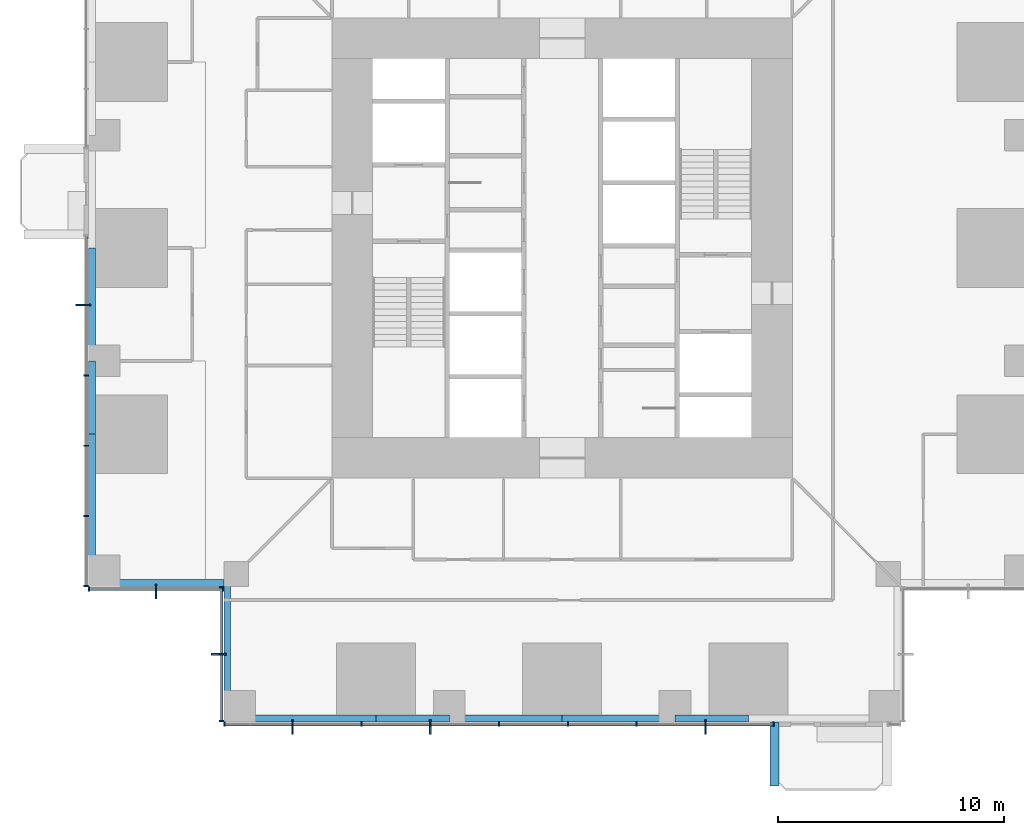
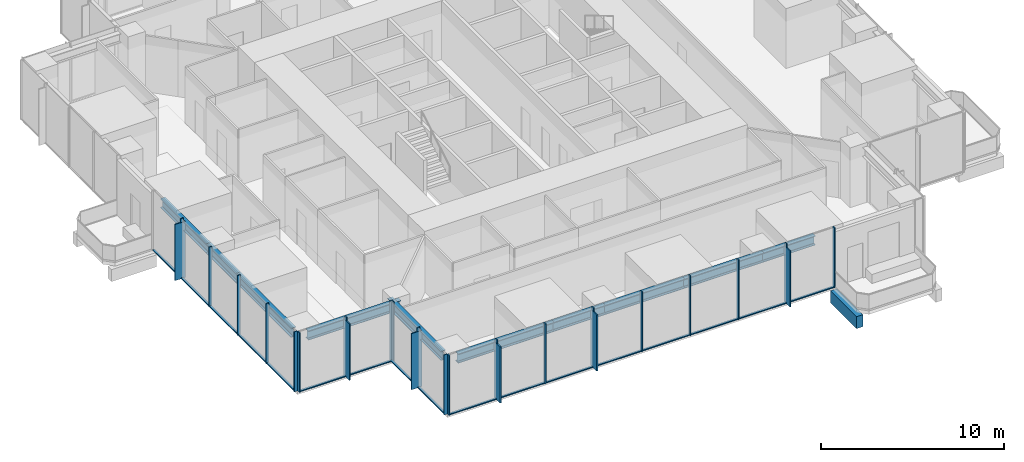
# One storey, part 2 of 15: 43 members, 11 beams, 4 elements without a shape of their own.
"""IFC4 building model written with IfcOpenShell, lengths in metres."""

from ifc_helpers import new_model, si_unit, direction, frame, origin, origin_2d, place, context, subcontext, project, spatial, rectangle, i_section, extrude, material, material_profile, profile_set, type_object, element, aggregate, save


model = new_model("IFC4")

# Units and contexts
model_context = context("Model", 3, precision=1e-05, world=origin(), true_north=direction((0.0, 1.0)))
body_context = subcontext(model_context, "Body", "Model", "MODEL_VIEW")
ifc_project = project(units=[si_unit("LENGTHUNIT", "METRE"), si_unit("AREAUNIT", "SQUARE_METRE"), si_unit("VOLUMEUNIT", "CUBIC_METRE"), si_unit("PLANEANGLEUNIT", "RADIAN"), si_unit("MASSUNIT", "GRAM", prefix="KILO")], contexts=[model_context])

# Site, building, storey
site_placement = place(None, origin())
site = spatial("IfcSite", under=ifc_project, at=site_placement, CompositionType="ELEMENT")
building_placement = place(site_placement, origin())
building = spatial("IfcBuilding", under=site, at=building_placement, Name="Svetlomir Tower", CompositionType="ELEMENT")
storey_placement = place(building_placement, frame((0.0, 0.0, 34.5)))
storey = spatial("IfcBuildingStorey", under=building, at=storey_placement, Name="L07", CompositionType="ELEMENT", Elevation=34.5)

# Beam
ifc_material_1 = material(Name="Concrete C60/75", Category="concrete")
ifc_material_profile_1 = material_profile(ifc_material_1, rectangle(XDim=0.39990234375, YDim=0.800048828125, at=origin_2d()), Name="RC 400x800")
ifc_profile_set_1 = profile_set([ifc_material_profile_1], Name="Concrete C60/75")
beam_type_1 = type_object("IfcBeamType", Name="BALCONY RIB RC 400x800", PredefinedType="BEAM", material=ifc_profile_set_1)
beam_1_placement = place(storey_placement, frame((30.39990234375, 0.0, -0.64990234375), z_axis=(0.0, -1.0, 0.0), x_axis=(1.0, 0.0, 0.0)))
element("IfcBeam", 1, at=beam_1_placement, inside=storey, type_object=beam_type_1, Name="Balcony rib S 1 L07", PredefinedType="BEAM", context=body_context, shape_type="SweptSolid", body=[
    extrude(rectangle(XDim=0.39990234375, YDim=0.800048828125, at=origin_2d()), origin(), (0.0, 0.0, 1.0), 2.85009765625),
])

# Curtain wall, members
ifc_material_2 = material(Name="Bronze anodised aluminium curtain wall", Category="aluminium")
curtain_wall_type = type_object("IfcCurtainWallType", Name="CURTAIN WALL CW1 TOWER OFFICE", PredefinedType="NOTDEFINED", material=ifc_material_2)
curtain_wall_1_placement = place(storey_placement, origin())
curtain_wall_1 = element("IfcCurtainWall", 2, at=curtain_wall_1_placement, inside=storey, type_object=curtain_wall_type, Name="Curtain wall CW1 L07", PredefinedType="NOTDEFINED")
ifc_material_3 = material(Name="Bronze anodised aluminium", Category="aluminium")
ifc_material_profile_2 = material_profile(ifc_material_3, rectangle(XDim=0.080078125, YDim=0.64990234375, at=origin_2d()), Name="FIN 80x650")
ifc_profile_set_2 = profile_set([ifc_material_profile_2], Name="Bronze anodised aluminium 6063-T6")
member_type_1 = type_object("IfcMemberType", Name="BRONZE FIN 80x650", PredefinedType="USERDEFINED", material=ifc_profile_set_2)
member_1_placement = place(storey_placement, frame((9.050048828125, -0.22509765625, 0.0), z_axis=(0.0, 0.0, 1.0), x_axis=(1.0, 0.0, 0.0)))
member_1 = element("IfcMember", 3, at=member_1_placement, type_object=member_type_1, Name="Bronze fin L07", ObjectType="FIN", PredefinedType="USERDEFINED", context=body_context, shape_type="SweptSolid", body=[
    extrude(rectangle(XDim=0.080078125, YDim=0.64990234375, at=origin_2d()), origin(), (0.0, 0.0, 1.0), 3.75),
])
member_2_placement = place(storey_placement, frame((15.14990234375, -0.22509765625, 0.0), z_axis=(0.0, 0.0, 1.0), x_axis=(1.0, 0.0, 0.0)))
member_2 = element("IfcMember", 4, at=member_2_placement, type_object=member_type_1, Name="Bronze fin L07", ObjectType="FIN", PredefinedType="USERDEFINED", context=body_context, shape_type="SweptSolid", body=[
    extrude(rectangle(XDim=0.080078125, YDim=0.64990234375, at=origin_2d()), origin(), (0.0, 0.0, 1.0), 3.75),
])
member_3_placement = place(storey_placement, frame((27.35009765625, -0.22509765625, 0.0), z_axis=(0.0, 0.0, 1.0), x_axis=(1.0, 0.0, 0.0)))
member_3 = element("IfcMember", 5, at=member_3_placement, type_object=member_type_1, Name="Bronze fin L07", ObjectType="FIN", PredefinedType="USERDEFINED", context=body_context, shape_type="SweptSolid", body=[
    extrude(rectangle(XDim=0.080078125, YDim=0.64990234375, at=origin_2d()), origin(), (0.0, 0.0, 1.0), 3.75),
])

# Curtain wall, member
curtain_wall_2_placement = place(storey_placement, origin())
curtain_wall_2 = element("IfcCurtainWall", 6, at=curtain_wall_2_placement, inside=storey, type_object=curtain_wall_type, Name="Curtain wall CW1 L07", PredefinedType="NOTDEFINED")
member_4_placement = place(storey_placement, frame((-0.22509765625, 18.47998046875, 0.0), z_axis=(0.0, 0.0, 1.0), x_axis=(0.0, 1.0, 0.0)))
member_4 = element("IfcMember", 7, at=member_4_placement, type_object=member_type_1, Name="Bronze fin L07", ObjectType="FIN", PredefinedType="USERDEFINED", context=body_context, shape_type="SweptSolid", body=[
    extrude(rectangle(XDim=0.080078125, YDim=0.64990234375, at=origin_2d()), origin(), (0.0, 0.0, 1.0), 3.75),
])

curtain_wall_3_placement = place(storey_placement, origin())
curtain_wall_3 = element("IfcCurtainWall", 8, at=curtain_wall_3_placement, inside=storey, type_object=curtain_wall_type, Name="Curtain wall CW1 L07", PredefinedType="NOTDEFINED")
member_5_placement = place(storey_placement, frame((3.0, 5.77490234375, 0.0), z_axis=(0.0, 0.0, 1.0), x_axis=(1.0, 0.0, 0.0)))
member_5 = element("IfcMember", 9, at=member_5_placement, type_object=member_type_1, Name="Bronze fin L07", ObjectType="FIN", PredefinedType="USERDEFINED", context=body_context, shape_type="SweptSolid", body=[
    extrude(rectangle(XDim=0.080078125, YDim=0.64990234375, at=origin_2d()), origin(), (0.0, 0.0, 1.0), 3.75),
])

curtain_wall_4_placement = place(storey_placement, origin())
curtain_wall_4 = element("IfcCurtainWall", 10, at=curtain_wall_4_placement, inside=storey, type_object=curtain_wall_type, Name="Curtain wall CW1 L07", PredefinedType="NOTDEFINED")
member_6_placement = place(storey_placement, frame((5.77490234375, 3.0, 0.0), z_axis=(0.0, 0.0, 1.0), x_axis=(0.0, 1.0, 0.0)))
member_6 = element("IfcMember", 11, at=member_6_placement, type_object=member_type_1, Name="Bronze fin L07", ObjectType="FIN", PredefinedType="USERDEFINED", context=body_context, shape_type="SweptSolid", body=[
    extrude(rectangle(XDim=0.080078125, YDim=0.64990234375, at=origin_2d()), origin(), (0.0, 0.0, 1.0), 3.75),
])

# Member
ifc_material_4 = material(Name="Bronze anodised aluminium", Category="aluminium")
ifc_material_profile_3 = material_profile(ifc_material_4, rectangle(XDim=0.06494140625, YDim=0.199951171875, at=origin_2d()), Name="AL 65x200")
ifc_profile_set_3 = profile_set([ifc_material_profile_3], Name="Bronze anodised aluminium 6063-T6")
member_type_2 = type_object("IfcMemberType", Name="CW1 MULLION 65x200", PredefinedType="MULLION", material=ifc_profile_set_3)
member_7_placement = place(storey_placement, frame((6.032470703125, -0.10009765625, 0.0), z_axis=(0.0, 0.0, 1.0), x_axis=(1.0, 0.0, 0.0)))
member_7 = element("IfcMember", 12, at=member_7_placement, type_object=member_type_2, Name="CW1 mullion 1", PredefinedType="MULLION", context=body_context, shape_type="SweptSolid", body=[
    extrude(rectangle(XDim=0.06494140625, YDim=0.199951171875, at=origin_2d()), origin(), (0.0, 0.0, 1.0), 4.0),
])

member_8_placement = place(storey_placement, frame((9.050048828125, -0.10009765625, 0.0), z_axis=(0.0, 0.0, 1.0), x_axis=(1.0, 0.0, 0.0)))
member_8 = element("IfcMember", 13, at=member_8_placement, type_object=member_type_2, Name="CW1 mullion 2", PredefinedType="MULLION", context=body_context, shape_type="SweptSolid", body=[
    extrude(rectangle(XDim=0.06494140625, YDim=0.199951171875, at=origin_2d()), origin(), (0.0, 0.0, 1.0), 4.0),
])

member_9_placement = place(storey_placement, frame((12.10009765625, -0.10009765625, 0.0), z_axis=(0.0, 0.0, 1.0), x_axis=(1.0, 0.0, 0.0)))
member_9 = element("IfcMember", 14, at=member_9_placement, type_object=member_type_2, Name="CW1 mullion 3", PredefinedType="MULLION", context=body_context, shape_type="SweptSolid", body=[
    extrude(rectangle(XDim=0.06494140625, YDim=0.199951171875, at=origin_2d()), origin(), (0.0, 0.0, 1.0), 4.0),
])

member_10_placement = place(storey_placement, frame((15.14990234375, -0.10009765625, 0.0), z_axis=(0.0, 0.0, 1.0), x_axis=(1.0, 0.0, 0.0)))
member_10 = element("IfcMember", 15, at=member_10_placement, type_object=member_type_2, Name="CW1 mullion 4", PredefinedType="MULLION", context=body_context, shape_type="SweptSolid", body=[
    extrude(rectangle(XDim=0.06494140625, YDim=0.199951171875, at=origin_2d()), origin(), (0.0, 0.0, 1.0), 4.0),
])

member_11_placement = place(storey_placement, frame((18.199951171875, -0.10009765625, 0.0), z_axis=(0.0, 0.0, 1.0), x_axis=(1.0, 0.0, 0.0)))
member_11 = element("IfcMember", 16, at=member_11_placement, type_object=member_type_2, Name="CW1 mullion 5", PredefinedType="MULLION", context=body_context, shape_type="SweptSolid", body=[
    extrude(rectangle(XDim=0.06494140625, YDim=0.199951171875, at=origin_2d()), origin(), (0.0, 0.0, 1.0), 4.0),
])

member_12_placement = place(storey_placement, frame((21.25, -0.10009765625, 0.0), z_axis=(0.0, 0.0, 1.0), x_axis=(1.0, 0.0, 0.0)))
member_12 = element("IfcMember", 17, at=member_12_placement, type_object=member_type_2, Name="CW1 mullion 6", PredefinedType="MULLION", context=body_context, shape_type="SweptSolid", body=[
    extrude(rectangle(XDim=0.06494140625, YDim=0.199951171875, at=origin_2d()), origin(), (0.0, 0.0, 1.0), 4.0),
])

member_13_placement = place(storey_placement, frame((24.300048828125, -0.10009765625, 0.0), z_axis=(0.0, 0.0, 1.0), x_axis=(1.0, 0.0, 0.0)))
member_13 = element("IfcMember", 18, at=member_13_placement, type_object=member_type_2, Name="CW1 mullion 7", PredefinedType="MULLION", context=body_context, shape_type="SweptSolid", body=[
    extrude(rectangle(XDim=0.06494140625, YDim=0.199951171875, at=origin_2d()), origin(), (0.0, 0.0, 1.0), 4.0),
])

member_14_placement = place(storey_placement, frame((27.35009765625, -0.10009765625, 0.0), z_axis=(0.0, 0.0, 1.0), x_axis=(1.0, 0.0, 0.0)))
member_14 = element("IfcMember", 19, at=member_14_placement, type_object=member_type_2, Name="CW1 mullion 8", PredefinedType="MULLION", context=body_context, shape_type="SweptSolid", body=[
    extrude(rectangle(XDim=0.06494140625, YDim=0.199951171875, at=origin_2d()), origin(), (0.0, 0.0, 1.0), 4.0),
])

member_15_placement = place(storey_placement, frame((30.367431640625, -0.10009765625, 0.0), z_axis=(0.0, 0.0, 1.0), x_axis=(1.0, 0.0, 0.0)))
member_15 = element("IfcMember", 20, at=member_15_placement, type_object=member_type_2, Name="CW1 mullion 9", PredefinedType="MULLION", context=body_context, shape_type="SweptSolid", body=[
    extrude(rectangle(XDim=0.06494140625, YDim=0.199951171875, at=origin_2d()), origin(), (0.0, 0.0, 1.0), 4.0),
])

member_16_placement = place(storey_placement, frame((-0.10009765625, 18.47998046875, 0.0), z_axis=(0.0, 0.0, 1.0), x_axis=(0.0, -1.0, 0.0)))
member_16 = element("IfcMember", 21, at=member_16_placement, type_object=member_type_2, Name="CW1 mullion 2", PredefinedType="MULLION", context=body_context, shape_type="SweptSolid", body=[
    extrude(rectangle(XDim=0.06494140625, YDim=0.199951171875, at=origin_2d()), origin(), (0.0, 0.0, 1.0), 4.0),
])

member_17_placement = place(storey_placement, frame((-0.10009765625, 15.360107421875, 0.0), z_axis=(0.0, 0.0, 1.0), x_axis=(0.0, -1.0, 0.0)))
member_17 = element("IfcMember", 22, at=member_17_placement, type_object=member_type_2, Name="CW1 mullion 3", PredefinedType="MULLION", context=body_context, shape_type="SweptSolid", body=[
    extrude(rectangle(XDim=0.06494140625, YDim=0.199951171875, at=origin_2d()), origin(), (0.0, 0.0, 1.0), 4.0),
])

member_18_placement = place(storey_placement, frame((-0.10009765625, 12.239990234375, 0.0), z_axis=(0.0, 0.0, 1.0), x_axis=(0.0, -1.0, 0.0)))
member_18 = element("IfcMember", 23, at=member_18_placement, type_object=member_type_2, Name="CW1 mullion 4", PredefinedType="MULLION", context=body_context, shape_type="SweptSolid", body=[
    extrude(rectangle(XDim=0.06494140625, YDim=0.199951171875, at=origin_2d()), origin(), (0.0, 0.0, 1.0), 4.0),
])

member_19_placement = place(storey_placement, frame((-0.10009765625, 9.1201171875, 0.0), z_axis=(0.0, 0.0, 1.0), x_axis=(0.0, -1.0, 0.0)))
member_19 = element("IfcMember", 24, at=member_19_placement, type_object=member_type_2, Name="CW1 mullion 5", PredefinedType="MULLION", context=body_context, shape_type="SweptSolid", body=[
    extrude(rectangle(XDim=0.06494140625, YDim=0.199951171875, at=origin_2d()), origin(), (0.0, 0.0, 1.0), 4.0),
])

member_20_placement = place(storey_placement, frame((-0.10009765625, 6.032470703125, 0.0), z_axis=(0.0, 0.0, 1.0), x_axis=(0.0, -1.0, 0.0)))
member_20 = element("IfcMember", 25, at=member_20_placement, type_object=member_type_2, Name="CW1 mullion 6", PredefinedType="MULLION", context=body_context, shape_type="SweptSolid", body=[
    extrude(rectangle(XDim=0.06494140625, YDim=0.199951171875, at=origin_2d()), origin(), (0.0, 0.0, 1.0), 4.0),
])

member_21_placement = place(storey_placement, frame((0.032470703125, 5.89990234375, 0.0), z_axis=(0.0, 0.0, 1.0), x_axis=(1.0, 0.0, 0.0)))
member_21 = element("IfcMember", 26, at=member_21_placement, type_object=member_type_2, Name="CW1 mullion 1", PredefinedType="MULLION", context=body_context, shape_type="SweptSolid", body=[
    extrude(rectangle(XDim=0.06494140625, YDim=0.199951171875, at=origin_2d()), origin(), (0.0, 0.0, 1.0), 4.0),
])

member_22_placement = place(storey_placement, frame((3.0, 5.89990234375, 0.0), z_axis=(0.0, 0.0, 1.0), x_axis=(1.0, 0.0, 0.0)))
member_22 = element("IfcMember", 27, at=member_22_placement, type_object=member_type_2, Name="CW1 mullion 2", PredefinedType="MULLION", context=body_context, shape_type="SweptSolid", body=[
    extrude(rectangle(XDim=0.06494140625, YDim=0.199951171875, at=origin_2d()), origin(), (0.0, 0.0, 1.0), 4.0),
])

member_23_placement = place(storey_placement, frame((5.967529296875, 5.89990234375, 0.0), z_axis=(0.0, 0.0, 1.0), x_axis=(1.0, 0.0, 0.0)))
member_23 = element("IfcMember", 28, at=member_23_placement, type_object=member_type_2, Name="CW1 mullion 3", PredefinedType="MULLION", context=body_context, shape_type="SweptSolid", body=[
    extrude(rectangle(XDim=0.06494140625, YDim=0.199951171875, at=origin_2d()), origin(), (0.0, 0.0, 1.0), 4.0),
])

member_24_placement = place(storey_placement, frame((5.89990234375, 5.967529296875, 0.0), z_axis=(0.0, 0.0, 1.0), x_axis=(0.0, -1.0, 0.0)))
member_24 = element("IfcMember", 29, at=member_24_placement, type_object=member_type_2, Name="CW1 mullion 1", PredefinedType="MULLION", context=body_context, shape_type="SweptSolid", body=[
    extrude(rectangle(XDim=0.06494140625, YDim=0.199951171875, at=origin_2d()), origin(), (0.0, 0.0, 1.0), 4.0),
])

member_25_placement = place(storey_placement, frame((5.89990234375, 3.0, 0.0), z_axis=(0.0, 0.0, 1.0), x_axis=(0.0, -1.0, 0.0)))
member_25 = element("IfcMember", 30, at=member_25_placement, type_object=member_type_2, Name="CW1 mullion 2", PredefinedType="MULLION", context=body_context, shape_type="SweptSolid", body=[
    extrude(rectangle(XDim=0.06494140625, YDim=0.199951171875, at=origin_2d()), origin(), (0.0, 0.0, 1.0), 4.0),
])

member_26_placement = place(storey_placement, frame((5.89990234375, 0.032470703125, 0.0), z_axis=(0.0, 0.0, 1.0), x_axis=(0.0, -1.0, 0.0)))
member_26 = element("IfcMember", 31, at=member_26_placement, type_object=member_type_2, Name="CW1 mullion 3", PredefinedType="MULLION", context=body_context, shape_type="SweptSolid", body=[
    extrude(rectangle(XDim=0.06494140625, YDim=0.199951171875, at=origin_2d()), origin(), (0.0, 0.0, 1.0), 4.0),
])

ifc_material_5 = material(Name="Bronze anodised aluminium", Category="aluminium")
ifc_material_profile_4 = material_profile(ifc_material_5, rectangle(XDim=0.139892578125, YDim=0.06494140625, at=origin_2d()), Name="AL 140x65")
ifc_profile_set_4 = profile_set([ifc_material_profile_4], Name="Bronze anodised aluminium 6063-T6")
member_type_3 = type_object("IfcMemberType", Name="CW1 TRANSOM 65x140", PredefinedType="USERDEFINED", material=ifc_profile_set_4)
member_27_placement = place(storey_placement, frame((6.06494140625, -0.10009765625, 0.032470703125), z_axis=(1.0, 0.0, 0.0), x_axis=(0.0, 1.0, 0.0)))
member_27 = element("IfcMember", 32, at=member_27_placement, type_object=member_type_3, Name="CW1 transom 1.1", ObjectType="TRANSOM", PredefinedType="USERDEFINED", context=body_context, shape_type="SweptSolid", body=[
    extrude(rectangle(XDim=0.139892578125, YDim=0.06494140625, at=origin_2d()), origin(), (0.0, 0.0, 1.0), 2.95263671875),
])

member_28_placement = place(storey_placement, frame((9.08251953125, -0.10009765625, 0.032470703125), z_axis=(1.0, 0.0, 0.0), x_axis=(0.0, 1.0, 0.0)))
member_28 = element("IfcMember", 33, at=member_28_placement, type_object=member_type_3, Name="CW1 transom 2.1", ObjectType="TRANSOM", PredefinedType="USERDEFINED", context=body_context, shape_type="SweptSolid", body=[
    extrude(rectangle(XDim=0.139892578125, YDim=0.06494140625, at=origin_2d()), origin(), (0.0, 0.0, 1.0), 2.98486328125),
])

member_29_placement = place(storey_placement, frame((12.132568359375, -0.10009765625, 0.032470703125), z_axis=(1.0, 0.0, 0.0), x_axis=(0.0, 1.0, 0.0)))
member_29 = element("IfcMember", 34, at=member_29_placement, type_object=member_type_3, Name="CW1 transom 3.1", ObjectType="TRANSOM", PredefinedType="USERDEFINED", context=body_context, shape_type="SweptSolid", body=[
    extrude(rectangle(XDim=0.139892578125, YDim=0.06494140625, at=origin_2d()), origin(), (0.0, 0.0, 1.0), 2.98486328125),
])

member_30_placement = place(storey_placement, frame((15.1826171875, -0.10009765625, 0.032470703125), z_axis=(1.0, 0.0, 0.0), x_axis=(0.0, 1.0, 0.0)))
member_30 = element("IfcMember", 35, at=member_30_placement, type_object=member_type_3, Name="CW1 transom 4.1", ObjectType="TRANSOM", PredefinedType="USERDEFINED", context=body_context, shape_type="SweptSolid", body=[
    extrude(rectangle(XDim=0.139892578125, YDim=0.06494140625, at=origin_2d()), origin(), (0.0, 0.0, 1.0), 2.98486328125),
])

member_31_placement = place(storey_placement, frame((18.232421875, -0.10009765625, 0.032470703125), z_axis=(1.0, 0.0, 0.0), x_axis=(0.0, 1.0, 0.0)))
member_31 = element("IfcMember", 36, at=member_31_placement, type_object=member_type_3, Name="CW1 transom 5.1", ObjectType="TRANSOM", PredefinedType="USERDEFINED", context=body_context, shape_type="SweptSolid", body=[
    extrude(rectangle(XDim=0.139892578125, YDim=0.06494140625, at=origin_2d()), origin(), (0.0, 0.0, 1.0), 2.985107421875),
])

member_32_placement = place(storey_placement, frame((21.282470703125, -0.10009765625, 0.032470703125), z_axis=(1.0, 0.0, 0.0), x_axis=(0.0, 1.0, 0.0)))
member_32 = element("IfcMember", 37, at=member_32_placement, type_object=member_type_3, Name="CW1 transom 6.1", ObjectType="TRANSOM", PredefinedType="USERDEFINED", context=body_context, shape_type="SweptSolid", body=[
    extrude(rectangle(XDim=0.139892578125, YDim=0.06494140625, at=origin_2d()), origin(), (0.0, 0.0, 1.0), 2.985107421875),
])

member_33_placement = place(storey_placement, frame((24.33251953125, -0.10009765625, 0.032470703125), z_axis=(1.0, 0.0, 0.0), x_axis=(0.0, 1.0, 0.0)))
member_33 = element("IfcMember", 38, at=member_33_placement, type_object=member_type_3, Name="CW1 transom 7.1", ObjectType="TRANSOM", PredefinedType="USERDEFINED", context=body_context, shape_type="SweptSolid", body=[
    extrude(rectangle(XDim=0.139892578125, YDim=0.06494140625, at=origin_2d()), origin(), (0.0, 0.0, 1.0), 2.98486328125),
])

member_34_placement = place(storey_placement, frame((27.382568359375, -0.10009765625, 0.032470703125), z_axis=(1.0, 0.0, 0.0), x_axis=(0.0, 1.0, 0.0)))
member_34 = element("IfcMember", 39, at=member_34_placement, type_object=member_type_3, Name="CW1 transom 8.1", ObjectType="TRANSOM", PredefinedType="USERDEFINED", context=body_context, shape_type="SweptSolid", body=[
    extrude(rectangle(XDim=0.139892578125, YDim=0.06494140625, at=origin_2d()), origin(), (0.0, 0.0, 1.0), 2.952392578125),
])

aggregate(curtain_wall_1, [member_7, member_8, member_9, member_10, member_11, member_12, member_13, member_14, member_15, member_27, member_28, member_29, member_30, member_31, member_32, member_33, member_34, member_1, member_2, member_3])

member_35_placement = place(storey_placement, frame((-0.10009765625, 21.534912109375, 0.032470703125), z_axis=(0.0, -1.0, 0.0), x_axis=(1.0, 0.0, 0.0)))
member_35 = element("IfcMember", 40, at=member_35_placement, type_object=member_type_3, Name="CW1 transom 1.1", ObjectType="TRANSOM", PredefinedType="USERDEFINED", context=body_context, shape_type="SweptSolid", body=[
    extrude(rectangle(XDim=0.139892578125, YDim=0.06494140625, at=origin_2d()), origin(), (0.0, 0.0, 1.0), 3.0224609375),
])

member_36_placement = place(storey_placement, frame((-0.10009765625, 18.447509765625, 0.032470703125), z_axis=(0.0, -1.0, 0.0), x_axis=(1.0, 0.0, 0.0)))
member_36 = element("IfcMember", 41, at=member_36_placement, type_object=member_type_3, Name="CW1 transom 2.1", ObjectType="TRANSOM", PredefinedType="USERDEFINED", context=body_context, shape_type="SweptSolid", body=[
    extrude(rectangle(XDim=0.139892578125, YDim=0.06494140625, at=origin_2d()), origin(), (0.0, 0.0, 1.0), 3.054931640625),
])

member_37_placement = place(storey_placement, frame((-0.10009765625, 15.327392578125, 0.032470703125), z_axis=(0.0, -1.0, 0.0), x_axis=(1.0, 0.0, 0.0)))
member_37 = element("IfcMember", 42, at=member_37_placement, type_object=member_type_3, Name="CW1 transom 3.1", ObjectType="TRANSOM", PredefinedType="USERDEFINED", context=body_context, shape_type="SweptSolid", body=[
    extrude(rectangle(XDim=0.139892578125, YDim=0.06494140625, at=origin_2d()), origin(), (0.0, 0.0, 1.0), 3.054931640625),
])

member_38_placement = place(storey_placement, frame((-0.10009765625, 12.20751953125, 0.032470703125), z_axis=(0.0, -1.0, 0.0), x_axis=(1.0, 0.0, 0.0)))
member_38 = element("IfcMember", 43, at=member_38_placement, type_object=member_type_3, Name="CW1 transom 4.1", ObjectType="TRANSOM", PredefinedType="USERDEFINED", context=body_context, shape_type="SweptSolid", body=[
    extrude(rectangle(XDim=0.139892578125, YDim=0.06494140625, at=origin_2d()), origin(), (0.0, 0.0, 1.0), 3.054931640625),
])

member_39_placement = place(storey_placement, frame((-0.10009765625, 9.08740234375, 0.032470703125), z_axis=(0.0, -1.0, 0.0), x_axis=(1.0, 0.0, 0.0)))
member_39 = element("IfcMember", 44, at=member_39_placement, type_object=member_type_3, Name="CW1 transom 5.1", ObjectType="TRANSOM", PredefinedType="USERDEFINED", context=body_context, shape_type="SweptSolid", body=[
    extrude(rectangle(XDim=0.139892578125, YDim=0.06494140625, at=origin_2d()), origin(), (0.0, 0.0, 1.0), 3.0224609375),
])

aggregate(curtain_wall_2, [member_16, member_17, member_18, member_19, member_20, member_35, member_36, member_37, member_38, member_39, member_4])

member_40_placement = place(storey_placement, frame((0.06494140625, 5.89990234375, 0.032470703125), z_axis=(1.0, 0.0, 0.0), x_axis=(0.0, 1.0, 0.0)))
member_40 = element("IfcMember", 45, at=member_40_placement, type_object=member_type_3, Name="CW1 transom 1.1", ObjectType="TRANSOM", PredefinedType="USERDEFINED", context=body_context, shape_type="SweptSolid", body=[
    extrude(rectangle(XDim=0.139892578125, YDim=0.06494140625, at=origin_2d()), origin(), (0.0, 0.0, 1.0), 2.902587890625),
])

member_41_placement = place(storey_placement, frame((3.032470703125, 5.89990234375, 0.032470703125), z_axis=(1.0, 0.0, 0.0), x_axis=(0.0, 1.0, 0.0)))
member_41 = element("IfcMember", 46, at=member_41_placement, type_object=member_type_3, Name="CW1 transom 2.1", ObjectType="TRANSOM", PredefinedType="USERDEFINED", context=body_context, shape_type="SweptSolid", body=[
    extrude(rectangle(XDim=0.139892578125, YDim=0.06494140625, at=origin_2d()), origin(), (0.0, 0.0, 1.0), 2.902587890625),
])

aggregate(curtain_wall_3, [member_21, member_22, member_23, member_40, member_41, member_5])

member_42_placement = place(storey_placement, frame((5.89990234375, 5.93505859375, 0.032470703125), z_axis=(0.0, -1.0, 0.0), x_axis=(1.0, 0.0, 0.0)))
member_42 = element("IfcMember", 47, at=member_42_placement, type_object=member_type_3, Name="CW1 transom 1.1", ObjectType="TRANSOM", PredefinedType="USERDEFINED", context=body_context, shape_type="SweptSolid", body=[
    extrude(rectangle(XDim=0.139892578125, YDim=0.06494140625, at=origin_2d()), origin(), (0.0, 0.0, 1.0), 2.902587890625),
])

member_43_placement = place(storey_placement, frame((5.89990234375, 2.967529296875, 0.032470703125), z_axis=(0.0, -1.0, 0.0), x_axis=(1.0, 0.0, 0.0)))
member_43 = element("IfcMember", 48, at=member_43_placement, type_object=member_type_3, Name="CW1 transom 2.1", ObjectType="TRANSOM", PredefinedType="USERDEFINED", context=body_context, shape_type="SweptSolid", body=[
    extrude(rectangle(XDim=0.139892578125, YDim=0.06494140625, at=origin_2d()), origin(), (0.0, 0.0, 1.0), 2.902587890625),
])

aggregate(curtain_wall_4, [member_24, member_25, member_26, member_42, member_43, member_6])

# Beams
ifc_material_6 = material(Name="Steel S355", Category="steel")
ifc_material_profile_5 = material_profile(ifc_material_6, i_section(OverallWidth=0.304931640625, OverallDepth=0.6201171875, WebThickness=0.02099609375, FlangeThickness=0.0400390625, FilletRadius=0.027099609375, at=origin_2d()), Name="HEM 600")
ifc_profile_set_5 = profile_set([ifc_material_profile_5], Name="Steel S355")
beam_type_2 = type_object("IfcBeamType", Name="EDGE BEAM HEM 600", PredefinedType="SPANDREL", material=ifc_profile_set_5)
for number, where, z_axis, x_axis, name in (
    (49, (6.699951171875, 0.152587890625, 3.43994140625), (1.0, 0.0, 0.0), (0.0, 1.0, 0.0), "Edge beam 6/0 to 11/0 under L08"),
    (50, (0.152587890625, 6.699951171875, 3.43994140625), (0.0, 1.0, 0.0), (-1.0, 0.0, 0.0), "Edge beam 0/6 to 0/11 under L08"),
):
    element("IfcBeam", number, at=place(storey_placement, frame(where, z_axis=z_axis, x_axis=x_axis)), inside=storey, type_object=beam_type_2, Name=name, PredefinedType="SPANDREL", context=body_context, shape_type="SweptSolid", body=[
        extrude(i_section(OverallWidth=0.304931640625, OverallDepth=0.6201171875, WebThickness=0.02099609375, FlangeThickness=0.0400390625, FilletRadius=0.027099609375, at=origin_2d()), origin(), (0.0, 0.0, 1.0), 6.050048828125),
    ])
for number, where, z_axis, x_axis, name in (
    (51, (12.75, 0.152587890625, 3.43994140625), (1.0, 0.0, 0.0), (0.0, 1.0, 0.0), "Edge beam 11/0 to 16/0 under L08"),
    (52, (0.152587890625, 12.75, 3.43994140625), (0.0, 1.0, 0.0), (-1.0, 0.0, 0.0), "Edge beam 0/11 to 0/16 under L08"),
):
    element("IfcBeam", number, at=place(storey_placement, frame(where, z_axis=z_axis, x_axis=x_axis)), inside=storey, type_object=beam_type_2, Name=name, PredefinedType="SPANDREL", context=body_context, shape_type="SweptSolid", body=[
        extrude(i_section(OverallWidth=0.304931640625, OverallDepth=0.6201171875, WebThickness=0.02099609375, FlangeThickness=0.0400390625, FilletRadius=0.027099609375, at=origin_2d()), origin(), (0.0, 0.0, 1.0), 3.25),
    ])
for number, where, z_axis, x_axis, name in (
    (53, (16.0, 0.152587890625, 3.43994140625), (1.0, 0.0, 0.0), (0.0, 1.0, 0.0), "Edge beam 16/0 to 21/0 under L08"),
    (54, (0.152587890625, 16.0, 3.43994140625), (0.0, 1.0, 0.0), (-1.0, 0.0, 0.0), "Edge beam 0/16 to 0/21 under L08"),
    (55, (21.0, 0.152587890625, 3.43994140625), (1.0, 0.0, 0.0), (0.0, 1.0, 0.0), "Edge beam 21/0 to 26/0 under L08"),
):
    element("IfcBeam", number, at=place(storey_placement, frame(where, z_axis=z_axis, x_axis=x_axis)), inside=storey, type_object=beam_type_2, Name=name, PredefinedType="SPANDREL", context=body_context, shape_type="SweptSolid", body=[
        extrude(i_section(OverallWidth=0.304931640625, OverallDepth=0.6201171875, WebThickness=0.02099609375, FlangeThickness=0.0400390625, FilletRadius=0.027099609375, at=origin_2d()), origin(), (0.0, 0.0, 1.0), 5.0),
    ])
beam_2_placement = place(storey_placement, frame((26.0, 0.152587890625, 3.43994140625), z_axis=(1.0, 0.0, 0.0), x_axis=(0.0, 1.0, 0.0)))
element("IfcBeam", 56, at=beam_2_placement, inside=storey, type_object=beam_type_2, Name="Edge beam 26/0 to 31/0 under L08", PredefinedType="SPANDREL", context=body_context, shape_type="SweptSolid", body=[
    extrude(i_section(OverallWidth=0.304931640625, OverallDepth=0.6201171875, WebThickness=0.02099609375, FlangeThickness=0.0400390625, FilletRadius=0.027099609375, at=origin_2d()), origin(), (0.0, 0.0, 1.0), 3.25),
])
for number, where, z_axis, x_axis, name in (
    (57, (6.152587890625, 0.699951171875, 3.43994140625), (0.0, 1.0, 0.0), (-1.0, 0.0, 0.0), "Edge beam 6/0 to 6/6 under L08"),
    (58, (0.699951171875, 6.152587890625, 3.43994140625), (1.0, 0.0, 0.0), (0.0, 1.0, 0.0), "Edge beam 0/6 to 6/6 under L08"),
):
    element("IfcBeam", number, at=place(storey_placement, frame(where, z_axis=z_axis, x_axis=x_axis)), inside=storey, type_object=beam_type_2, Name=name, PredefinedType="SPANDREL", context=body_context, shape_type="SweptSolid", body=[
        extrude(i_section(OverallWidth=0.304931640625, OverallDepth=0.6201171875, WebThickness=0.02099609375, FlangeThickness=0.0400390625, FilletRadius=0.027099609375, at=origin_2d()), origin(), (0.0, 0.0, 1.0), 5.85009765625),
    ])

save(model, "model.ifc")
